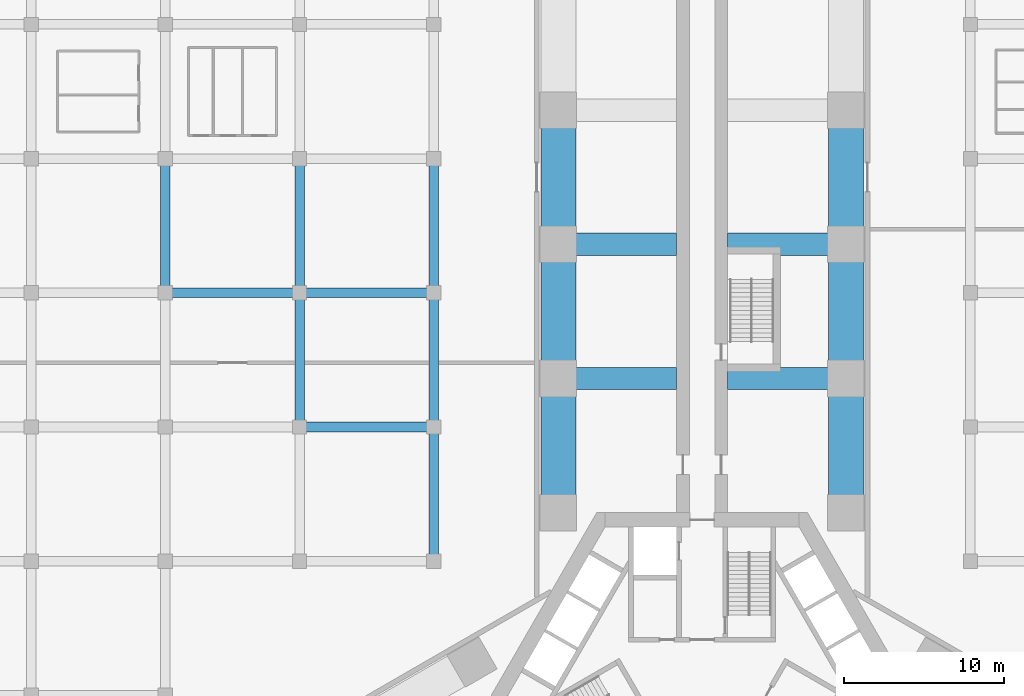
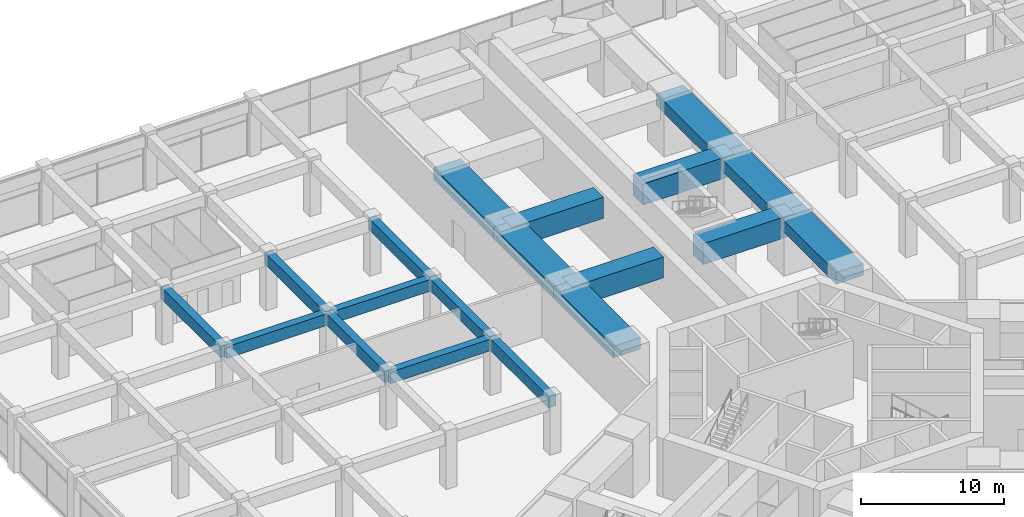
# One storey, part 10 of 34: 19 beams.
"""IFC4 building model written with IfcOpenShell, lengths in metres."""

from ifc_helpers import new_model, si_unit, direction, frame, origin, origin_2d, place, context, subcontext, project, spatial, rectangle, extrude, material, material_profile, profile_set, type_object, element, save


model = new_model("IFC4")

# Units and contexts
model_context = context("Model", 3, precision=1e-05, world=origin(), true_north=direction((0.0, 1.0)))
body_context = subcontext(model_context, "Body", "Model", "MODEL_VIEW")
ifc_project = project(units=[si_unit("LENGTHUNIT", "METRE"), si_unit("AREAUNIT", "SQUARE_METRE"), si_unit("VOLUMEUNIT", "CUBIC_METRE"), si_unit("PLANEANGLEUNIT", "RADIAN"), si_unit("MASSUNIT", "GRAM", prefix="KILO")], contexts=[model_context])

# Site, building, storey
site_placement = place(None, origin())
site = spatial("IfcSite", under=ifc_project, at=site_placement, CompositionType="ELEMENT")
building_placement = place(site_placement, origin())
building = spatial("IfcBuilding", under=site, at=building_placement, Name="Impinga Residences", CompositionType="ELEMENT")
storey_placement = place(building_placement, frame((0.0, 0.0, 11.0)))
storey = spatial("IfcBuildingStorey", under=building, at=storey_placement, Name="L02", CompositionType="ELEMENT", Elevation=11.0)

# Beams
ifc_material = material(Name="Concrete C60/75", Category="concrete")
ifc_material_profile_1 = material_profile(ifc_material, rectangle(XDim=1.39990234375, YDim=1.800048828125, at=origin_2d()), Name="RC 1400x1800")
ifc_profile_set_1 = profile_set([ifc_material_profile_1], Name="Concrete C60/75")
beam_type_1 = type_object("IfcBeamType", Name="CG4 1400x1800 cross girder on a wing bay line under the podium floors", PredefinedType="BEAM", material=ifc_profile_set_1)
for number, where, z_axis, x_axis, name in (
    (1, (-1.60009765625, 19.83154296875, 3.800048828125), (-1.0, 0.0, 0.0), (0.0, -1.0, 0.0), "Beam CG4 N2 NC/NA level L03"),
    (2, (-1.60009765625, 28.2314453125, 3.800048828125), (-1.0, 0.0, 0.0), (0.0, -1.0, 0.0), "Beam CG4 N3 NC/NA level L03"),
    (3, (1.60009765625, 19.83154296875, 3.800048828125), (1.0, 0.0, 0.0), (0.0, 1.0, 0.0), "Beam CG4 N2 NC/NF level L03"),
    (4, (1.60009765625, 28.2314453125, 3.800048828125), (1.0, 0.0, 0.0), (0.0, 1.0, 0.0), "Beam CG4 N3 NC/NF level L03"),
):
    element("IfcBeam", number, at=place(storey_placement, frame(where, z_axis=z_axis, x_axis=x_axis)), inside=storey, type_object=beam_type_1, Name=name, PredefinedType="BEAM", context=body_context, shape_type="SweptSolid", body=[
        extrude(rectangle(XDim=1.39990234375, YDim=1.800048828125, at=origin_2d()), origin(), (0.0, 0.0, 1.0), 7.39990234375),
    ])
ifc_material_profile_2 = material_profile(ifc_material, rectangle(XDim=0.60009765625, YDim=1.0, at=origin_2d()), Name="RC 600x1000")
ifc_profile_set_2 = profile_set([ifc_material_profile_2], Name="Concrete C60/75")
beam_type_2 = type_object("IfcBeamType", Name="PB2 600x1000 podium beam", PredefinedType="BEAM", material=ifc_profile_set_2)
beam_1_placement = place(storey_placement, frame((-25.199951171875, 16.800048828125, 4.199951171875), z_axis=(1.0, 0.0, 0.0), x_axis=(0.0, 1.0, 0.0)))
element("IfcBeam", 5, at=beam_1_placement, inside=storey, type_object=beam_type_2, Name="Beam PB2 H/4-5 level L03", PredefinedType="BEAM", context=body_context, shape_type="SweptSolid", body=[
    extrude(rectangle(XDim=0.60009765625, YDim=1.0, at=origin_2d()), origin(), (0.0, 0.0, 1.0), 8.39990234375),
])
beam_2_placement = place(storey_placement, frame((-33.60009765625, 25.199951171875, 4.199951171875), z_axis=(1.0, 0.0, 0.0), x_axis=(0.0, 1.0, 0.0)))
element("IfcBeam", 6, at=beam_2_placement, inside=storey, type_object=beam_type_2, Name="Beam PB2 J/3-4 level L03", PredefinedType="BEAM", context=body_context, shape_type="SweptSolid", body=[
    extrude(rectangle(XDim=0.60009765625, YDim=1.0, at=origin_2d()), origin(), (0.0, 0.0, 1.0), 8.400146484375),
])
beam_3_placement = place(storey_placement, frame((-25.199951171875, 25.199951171875, 4.199951171875), z_axis=(1.0, 0.0, 0.0), x_axis=(0.0, 1.0, 0.0)))
element("IfcBeam", 7, at=beam_3_placement, inside=storey, type_object=beam_type_2, Name="Beam PB2 J/4-5 level L03", PredefinedType="BEAM", context=body_context, shape_type="SweptSolid", body=[
    extrude(rectangle(XDim=0.60009765625, YDim=1.0, at=origin_2d()), origin(), (0.0, 0.0, 1.0), 8.39990234375),
])
beam_4_placement = place(storey_placement, frame((-33.60009765625, 25.199951171875, 4.199951171875), z_axis=(0.0, 1.0, 0.0), x_axis=(-1.0, 0.0, 0.0)))
element("IfcBeam", 8, at=beam_4_placement, inside=storey, type_object=beam_type_2, Name="Beam PB2 3/J-K level L03", PredefinedType="BEAM", context=body_context, shape_type="SweptSolid", body=[
    extrude(rectangle(XDim=0.60009765625, YDim=1.0, at=origin_2d()), origin(), (0.0, 0.0, 1.0), 8.400146484375),
])
beam_5_placement = place(storey_placement, frame((-25.199951171875, 16.800048828125, 4.199951171875), z_axis=(0.0, 1.0, 0.0), x_axis=(-1.0, 0.0, 0.0)))
element("IfcBeam", 9, at=beam_5_placement, inside=storey, type_object=beam_type_2, Name="Beam PB2 4/H-J level L03", PredefinedType="BEAM", context=body_context, shape_type="SweptSolid", body=[
    extrude(rectangle(XDim=0.60009765625, YDim=1.0, at=origin_2d()), origin(), (0.0, 0.0, 1.0), 8.39990234375),
])
for number, where, z_axis, x_axis, name in (
    (10, (-25.199951171875, 25.199951171875, 4.199951171875), (0.0, 1.0, 0.0), (-1.0, 0.0, 0.0), "Beam PB2 4/J-K level L03"),
    (11, (-16.800048828125, 8.39990234375, 4.199951171875), (0.0, 1.0, 0.0), (-1.0, 0.0, 0.0), "Beam PB2 5/G-H level L03"),
):
    element("IfcBeam", number, at=place(storey_placement, frame(where, z_axis=z_axis, x_axis=x_axis)), inside=storey, type_object=beam_type_2, Name=name, PredefinedType="BEAM", context=body_context, shape_type="SweptSolid", body=[
        extrude(rectangle(XDim=0.60009765625, YDim=1.0, at=origin_2d()), origin(), (0.0, 0.0, 1.0), 8.400146484375),
    ])
beam_6_placement = place(storey_placement, frame((-16.800048828125, 16.800048828125, 4.199951171875), z_axis=(0.0, 1.0, 0.0), x_axis=(-1.0, 0.0, 0.0)))
element("IfcBeam", 12, at=beam_6_placement, inside=storey, type_object=beam_type_2, Name="Beam PB2 5/H-J level L03", PredefinedType="BEAM", context=body_context, shape_type="SweptSolid", body=[
    extrude(rectangle(XDim=0.60009765625, YDim=1.0, at=origin_2d()), origin(), (0.0, 0.0, 1.0), 8.39990234375),
])
beam_7_placement = place(storey_placement, frame((-16.800048828125, 25.199951171875, 4.199951171875), z_axis=(0.0, 1.0, 0.0), x_axis=(-1.0, 0.0, 0.0)))
element("IfcBeam", 13, at=beam_7_placement, inside=storey, type_object=beam_type_2, Name="Beam PB2 5/J-K level L03", PredefinedType="BEAM", context=body_context, shape_type="SweptSolid", body=[
    extrude(rectangle(XDim=0.60009765625, YDim=1.0, at=origin_2d()), origin(), (0.0, 0.0, 1.0), 8.400146484375),
])
ifc_material_profile_3 = material_profile(ifc_material, rectangle(XDim=2.199951171875, YDim=1.0, at=origin_2d()), Name="RC 2200x1000")
ifc_profile_set_3 = profile_set([ifc_material_profile_3], Name="Concrete C60/75")
beam_type_3 = type_object("IfcBeamType", Name="PB3 2200x1000 podium band beam", PredefinedType="BEAM", material=ifc_profile_set_3)
for number, where, z_axis, x_axis, name in (
    (14, (-9.0, 11.431640625, 4.199951171875), (0.0, 1.0, 0.0), (-1.0, 0.0, 0.0), "Beam PB3 NA N1-N2 level L03"),
    (15, (-9.0, 19.83154296875, 4.199951171875), (0.0, 1.0, 0.0), (-1.0, 0.0, 0.0), "Beam PB3 NA N2-N3 level L03"),
):
    element("IfcBeam", number, at=place(storey_placement, frame(where, z_axis=z_axis, x_axis=x_axis)), inside=storey, type_object=beam_type_3, Name=name, PredefinedType="BEAM", context=body_context, shape_type="SweptSolid", body=[
        extrude(rectangle(XDim=2.199951171875, YDim=1.0, at=origin_2d()), origin(), (0.0, 0.0, 1.0), 8.39990234375),
    ])
beam_8_placement = place(storey_placement, frame((-9.0, 28.2314453125, 4.199951171875), z_axis=(0.0, 1.0, 0.0), x_axis=(-1.0, 0.0, 0.0)))
element("IfcBeam", 16, at=beam_8_placement, inside=storey, type_object=beam_type_3, Name="Beam PB3 NA N3-N4 level L03", PredefinedType="BEAM", context=body_context, shape_type="SweptSolid", body=[
    extrude(rectangle(XDim=2.199951171875, YDim=1.0, at=origin_2d()), origin(), (0.0, 0.0, 1.0), 8.400146484375),
])
for number, where, z_axis, x_axis, name in (
    (17, (9.0, 11.431640625, 4.199951171875), (0.0, 1.0, 0.0), (-1.0, 0.0, 0.0), "Beam PB3 NF N1-N2 level L03"),
    (18, (9.0, 19.83154296875, 4.199951171875), (0.0, 1.0, 0.0), (-1.0, 0.0, 0.0), "Beam PB3 NF N2-N3 level L03"),
):
    element("IfcBeam", number, at=place(storey_placement, frame(where, z_axis=z_axis, x_axis=x_axis)), inside=storey, type_object=beam_type_3, Name=name, PredefinedType="BEAM", context=body_context, shape_type="SweptSolid", body=[
        extrude(rectangle(XDim=2.199951171875, YDim=1.0, at=origin_2d()), origin(), (0.0, 0.0, 1.0), 8.39990234375),
    ])
beam_9_placement = place(storey_placement, frame((9.0, 28.2314453125, 4.199951171875), z_axis=(0.0, 1.0, 0.0), x_axis=(-1.0, 0.0, 0.0)))
element("IfcBeam", 19, at=beam_9_placement, inside=storey, type_object=beam_type_3, Name="Beam PB3 NF N3-N4 level L03", PredefinedType="BEAM", context=body_context, shape_type="SweptSolid", body=[
    extrude(rectangle(XDim=2.199951171875, YDim=1.0, at=origin_2d()), origin(), (0.0, 0.0, 1.0), 8.400146484375),
])

save(model, "model.ifc")
